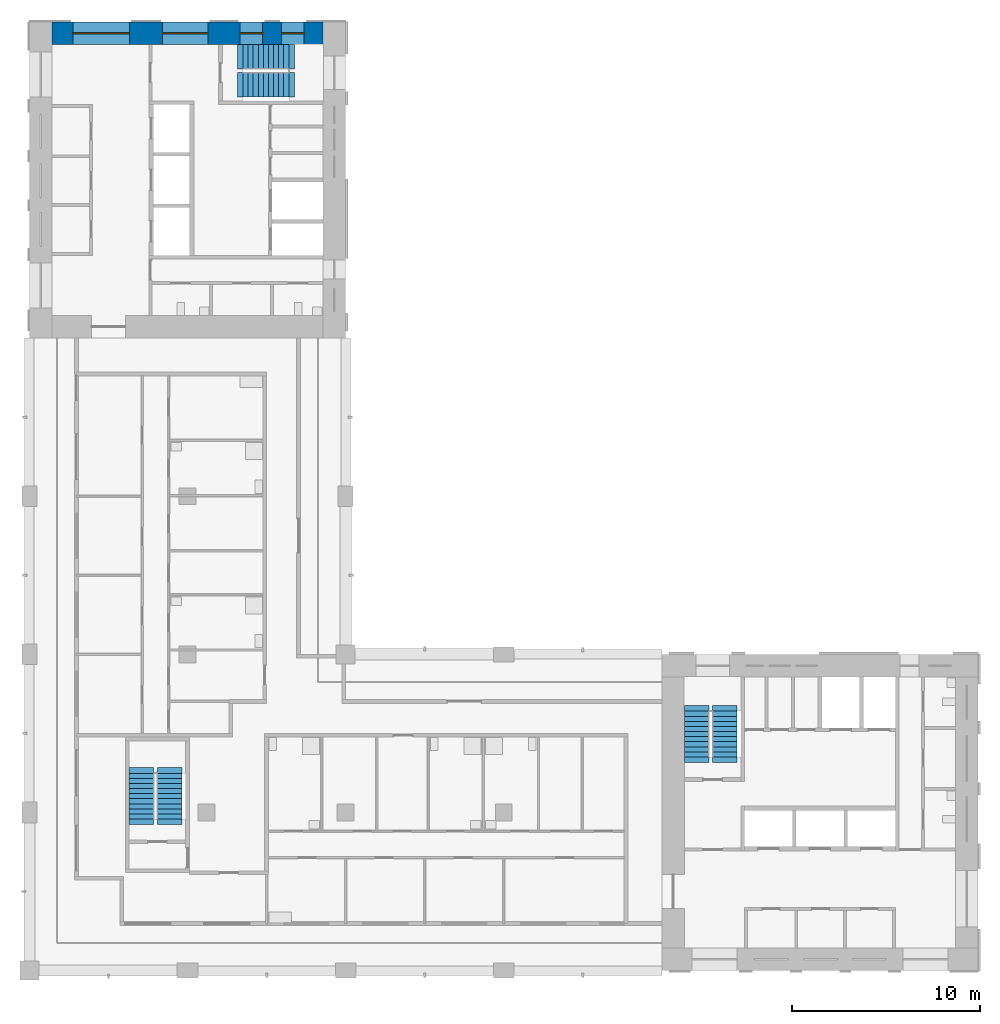
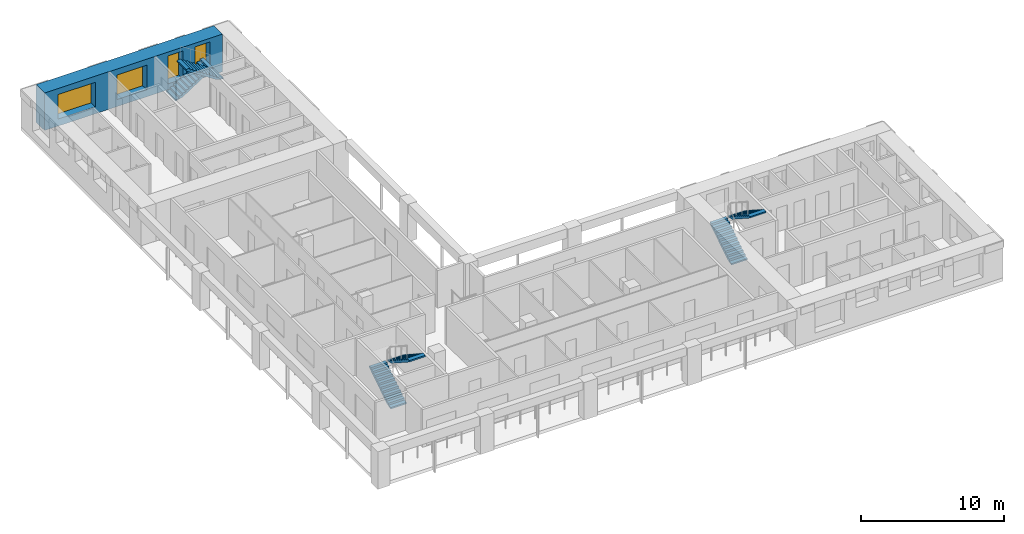
# One storey, part 7 of 10: 6 stair flights, 4 windows, 1 wall, 4 openings, 3 elements without a shape of their own.
"""IFC4 building model written with IfcOpenShell, lengths in metres."""

from ifc_helpers import new_model, si_unit, direction, frame, frame_2d, origin, place, context, subcontext, project, spatial, polyline, rectangle, outline, extrude, material, layer, layer_set, type_object, element, fill, aggregate, save


model = new_model("IFC4")

# Units and contexts
model_context = context("Model", 3, precision=1e-05, world=origin(), true_north=direction((0.0, 1.0)))
body_context = subcontext(model_context, "Body", "Model", "MODEL_VIEW")
ifc_project = project(units=[si_unit("LENGTHUNIT", "METRE"), si_unit("AREAUNIT", "SQUARE_METRE"), si_unit("VOLUMEUNIT", "CUBIC_METRE"), si_unit("PLANEANGLEUNIT", "RADIAN"), si_unit("MASSUNIT", "GRAM", prefix="KILO")], contexts=[model_context])

# Site, building, storey
site_placement = place(None, origin())
site = spatial("IfcSite", under=ifc_project, at=site_placement, CompositionType="ELEMENT")
building_placement = place(site_placement, origin())
building = spatial("IfcBuilding", under=site, at=building_placement, Name="Vermilion Gate Residences", CompositionType="ELEMENT")
storey_placement = place(building_placement, frame((0.0, 0.0, 270.199951171875)))
storey = spatial("IfcBuildingStorey", under=building, at=storey_placement, Name="L71", CompositionType="ELEMENT", Elevation=270.199951171875)

# Wall, openings, windows
ifc_material_1 = material(Name="Concrete C50 red-oxide pigmented", Category="concrete")
ifc_layer = layer(ifc_material_1, 1.199951171875)
ifc_layer_set = layer_set([ifc_layer], Name="RC CORE WALL 1200 C50 RED OXIDE")
wall_type = type_object("IfcWallType", Name="RC CORE WALL 1200 C50 RED OXIDE", PredefinedType="SHEAR", material=ifc_layer_set)
wall_placement = place(storey_placement, frame((9.60009765625, 58.199951171875, 0.0), z_axis=(0.0, 0.0, 1.0), x_axis=(1.0, 0.0, 0.0)))
wall = element("IfcWall", 1, at=wall_placement, inside=storey, type_object=wall_type, Name="Core wall B71-OUT-FR", PredefinedType="SHEAR", context=body_context, shape_type="SweptSolid", body=[
    extrude(rectangle(XDim=14.39990234375, YDim=1.199951171875, at=frame_2d((7.199951171875, 0.0))), origin(), (0.0, 0.0, 1.0), 3.219970703125),
])
opening_1_placement = place(wall_placement, frame((1.10498046875, 0.0, 0.60009765625)))
opening_1 = element("IfcOpeningElement", 2, at=opening_1_placement, cuts=wall, Name="Opening WKB7112", PredefinedType="OPENING", context=body_context, shape_type="SweptSolid", body=[
    extrude(rectangle(XDim=3.0, YDim=2.10009765625, at=frame_2d((1.5, 1.050048828125))), frame((0.0, 0.60986328125, 0.0), z_axis=(0.0, -1.0, 0.0), x_axis=(1.0, 0.0, 0.0)), (0.0, 0.0, 1.0), 1.219970703125),
])
opening_2_placement = place(wall_placement, frame((5.875, 0.0, 0.60009765625)))
opening_2 = element("IfcOpeningElement", 3, at=opening_2_placement, cuts=wall, Name="Opening WKB7113", PredefinedType="OPENING", context=body_context, shape_type="SweptSolid", body=[
    extrude(rectangle(XDim=2.39990234375, YDim=2.10009765625, at=frame_2d((1.199951171875, 1.050048828125))), frame((0.0, 0.60986328125, 0.0), z_axis=(0.0, -1.0, 0.0), x_axis=(1.0, 0.0, 0.0)), (0.0, 0.0, 1.0), 1.219970703125),
])
opening_3_placement = place(wall_placement, frame((9.993408203125, 0.0, 0.5)))
opening_3 = element("IfcOpeningElement", 4, at=opening_3_placement, cuts=wall, Name="Opening WKB7114", PredefinedType="OPENING", context=body_context, shape_type="SweptSolid", body=[
    extrude(rectangle(XDim=1.199951171875, YDim=2.39990234375, at=frame_2d((0.60009765625, 1.199951171875))), frame((0.0, 0.60986328125, 0.0), z_axis=(0.0, -1.0, 0.0), x_axis=(1.0, 0.0, 0.0)), (0.0, 0.0, 1.0), 1.219970703125),
])
opening_4_placement = place(wall_placement, frame((12.19677734375, 0.0, 0.5)))
opening_4 = element("IfcOpeningElement", 5, at=opening_4_placement, cuts=wall, Name="Opening WKB7115", PredefinedType="OPENING", context=body_context, shape_type="SweptSolid", body=[
    extrude(rectangle(XDim=1.199951171875, YDim=2.39990234375, at=frame_2d((0.60009765625, 1.199951171875))), frame((0.0, 0.60986328125, 0.0), z_axis=(0.0, -1.0, 0.0), x_axis=(1.0, 0.0, 0.0)), (0.0, 0.0, 1.0), 1.219970703125),
])
ifc_material_2 = material(Name="Aluminium and clear glass", Category="aluminium")
window_type_1 = type_object("IfcWindowType", Name="CORE LOBBY WINDOW 2400 X 2100", PartitioningType="SINGLE_PANEL", PredefinedType="WINDOW", material=ifc_material_2)
window_1_placement = place(opening_2_placement, origin())
window_1 = element("IfcWindow", 6, at=window_1_placement, inside=storey, type_object=window_type_1, Name="Core lobby window", OverallHeight=2.10009765625, OverallWidth=2.39990234375, PartitioningType="SINGLE_PANEL", PredefinedType="WINDOW", context=body_context, shape_type="SweptSolid", body=[
    extrude(rectangle(XDim=2.39990234375, YDim=2.10009765625, at=frame_2d((1.199951171875, 1.050048828125))), frame((0.0, 0.030029296875, 0.0), z_axis=(0.0, -1.0, 0.0), x_axis=(1.0, 0.0, 0.0)), (0.0, 0.0, 1.0), 0.06005859375),
])
fill(opening_2, window_1)
ifc_material_3 = material(Name="Aluminium and clear glass", Category="aluminium")
window_type_2 = type_object("IfcWindowType", Name="CORE LOBBY WINDOW 3000 X 2100", PartitioningType="SINGLE_PANEL", PredefinedType="WINDOW", material=ifc_material_3)
window_2_placement = place(opening_1_placement, origin())
window_2 = element("IfcWindow", 7, at=window_2_placement, inside=storey, type_object=window_type_2, Name="Core lobby window", OverallHeight=2.10009765625, OverallWidth=3.0, PartitioningType="SINGLE_PANEL", PredefinedType="WINDOW", context=body_context, shape_type="SweptSolid", body=[
    extrude(rectangle(XDim=3.0, YDim=2.10009765625, at=frame_2d((1.5, 1.050048828125))), frame((0.0, 0.030029296875, 0.0), z_axis=(0.0, -1.0, 0.0), x_axis=(1.0, 0.0, 0.0)), (0.0, 0.0, 1.0), 0.06005859375),
])
fill(opening_1, window_2)
ifc_material_4 = material(Name="Aluminium and clear glass", Category="aluminium")
window_type_3 = type_object("IfcWindowType", Name="CORE STAIR WINDOW 1200 X 2400", PartitioningType="SINGLE_PANEL", PredefinedType="WINDOW", material=ifc_material_4)
window_3_placement = place(opening_3_placement, origin())
window_3 = element("IfcWindow", 8, at=window_3_placement, inside=storey, type_object=window_type_3, Name="Core stair window", OverallHeight=2.39990234375, OverallWidth=1.199951171875, PartitioningType="SINGLE_PANEL", PredefinedType="WINDOW", context=body_context, shape_type="SweptSolid", body=[
    extrude(rectangle(XDim=1.199951171875, YDim=2.39990234375, at=frame_2d((0.60009765625, 1.199951171875))), frame((0.0, 0.030029296875, 0.0), z_axis=(0.0, -1.0, 0.0), x_axis=(1.0, 0.0, 0.0)), (0.0, 0.0, 1.0), 0.06005859375),
])
fill(opening_3, window_3)
window_4_placement = place(opening_4_placement, origin())
window_4 = element("IfcWindow", 9, at=window_4_placement, inside=storey, type_object=window_type_3, Name="Core stair window", OverallHeight=2.39990234375, OverallWidth=1.199951171875, PartitioningType="SINGLE_PANEL", PredefinedType="WINDOW", context=body_context, shape_type="SweptSolid", body=[
    extrude(rectangle(XDim=1.199951171875, YDim=2.39990234375, at=frame_2d((0.60009765625, 1.199951171875))), frame((0.0, 0.030029296875, 0.0), z_axis=(0.0, -1.0, 0.0), x_axis=(1.0, 0.0, 0.0)), (0.0, 0.0, 1.0), 0.06005859375),
])
fill(opening_4, window_4)

# Stair, stair flights
ifc_material_5 = material(Name="Concrete C50", Category="concrete")
stair_type = type_object("IfcStairType", Name="SPECIAL ESCAPE STAIR 1300", PredefinedType="HALF_TURN_STAIR", material=ifc_material_5)
stair_1_placement = place(storey_placement, origin())
stair_1 = element("IfcStair", 10, at=stair_1_placement, inside=storey, type_object=stair_type, Name="Special escape stair STA1-71", PredefinedType="HALF_TURN_STAIR")
ifc_material_6 = material(Name="Concrete C50", Category="concrete")
stair_flight_type = type_object("IfcStairFlightType", Name="STAIR FLIGHT 1300 RC C50", PredefinedType="STRAIGHT", material=ifc_material_6)
stair_flight_1_placement = place(storey_placement, frame((43.85009765625, 19.75, 0.0), z_axis=(0.0, 0.0, 1.0), x_axis=(0.0, 1.0, 0.0)))
stair_flight_1 = element("IfcStairFlight", 11, at=stair_flight_1_placement, type_object=stair_flight_type, Name="STA1-71 flight 1", NumberOfRisers=10, NumberOfTreads=9, PredefinedType="STRAIGHT", RiserHeight=0.175, TreadLength=0.27, context=body_context, shape_type="SweptSolid", body=[
    extrude(outline(polyline([(-0.300048828125, -0.14990234375), (-0.300048828125, -0.030029296875), (0.0, 0.0), (0.0, 0.175048828125), (0.27001953125, 0.175048828125), (0.27001953125, 0.35009765625), (0.5400390625, 0.35009765625), (0.5400390625, 0.52490234375), (0.81005859375, 0.52490234375), (0.81005859375, 0.699951171875), (1.080078125, 0.699951171875), (1.080078125, 0.875), (1.35009765625, 0.875), (1.35009765625, 1.050048828125), (1.6201171875, 1.050048828125), (1.6201171875, 1.22509765625), (1.889892578125, 1.22509765625), (1.889892578125, 1.39990234375), (2.159912109375, 1.39990234375), (2.159912109375, 1.574951171875), (2.429931640625, 1.574951171875), (2.429931640625, 1.75), (2.72998046875, 1.719970703125), (2.72998046875, 1.60009765625), (2.429931640625, 1.396484375), (0.275634765625, 0.0), (-0.300048828125, -0.14990234375)])), frame((0.0, 0.64990234375, 0.0), z_axis=(0.0, -1.0, 0.0), x_axis=(1.0, 0.0, 0.0)), (0.0, 0.0, 1.0), 1.300048828125),
])
stair_flight_2_placement = place(storey_placement, frame((45.35009765625, 22.179931640625, 1.75), z_axis=(0.0, 0.0, 1.0), x_axis=(0.0, -1.0, 0.0)))
stair_flight_2 = element("IfcStairFlight", 12, at=stair_flight_2_placement, type_object=stair_flight_type, Name="STA1-71 flight 2", NumberOfRisers=10, NumberOfTreads=9, PredefinedType="STRAIGHT", RiserHeight=0.175, TreadLength=0.27, context=body_context, shape_type="SweptSolid", body=[
    extrude(outline(polyline([(-0.300048828125, -0.14990234375), (-0.300048828125, -0.030029296875), (0.0, 0.0), (0.0, 0.175048828125), (0.27001953125, 0.175048828125), (0.27001953125, 0.35009765625), (0.5400390625, 0.35009765625), (0.5400390625, 0.52490234375), (0.81005859375, 0.52490234375), (0.81005859375, 0.699951171875), (1.080078125, 0.699951171875), (1.080078125, 0.875), (1.35009765625, 0.875), (1.35009765625, 1.050048828125), (1.6201171875, 1.050048828125), (1.6201171875, 1.22509765625), (1.889892578125, 1.22509765625), (1.889892578125, 1.39990234375), (2.159912109375, 1.39990234375), (2.159912109375, 1.574951171875), (2.429931640625, 1.574951171875), (2.429931640625, 1.75), (2.72998046875, 1.719970703125), (2.72998046875, 1.60009765625), (2.429931640625, 1.396484375), (0.275634765625, 0.0), (-0.300048828125, -0.14990234375)])), frame((0.0, 0.64990234375, 0.0), z_axis=(0.0, -1.0, 0.0), x_axis=(1.0, 0.0, 0.0)), (0.0, 0.0, 1.0), 1.300048828125),
])
aggregate(stair_1, [stair_flight_1, stair_flight_2])

stair_2_placement = place(storey_placement, origin())
stair_2 = element("IfcStair", 13, at=stair_2_placement, inside=storey, type_object=stair_type, Name="Special escape stair STB1-71", PredefinedType="HALF_TURN_STAIR")
stair_flight_3_placement = place(storey_placement, frame((19.75, 56.949951171875, 0.0), z_axis=(0.0, 0.0, 1.0), x_axis=(1.0, 0.0, 0.0)))
stair_flight_3 = element("IfcStairFlight", 14, at=stair_flight_3_placement, type_object=stair_flight_type, Name="STB1-71 flight 1", NumberOfRisers=10, NumberOfTreads=9, PredefinedType="STRAIGHT", RiserHeight=0.175, TreadLength=0.27, context=body_context, shape_type="SweptSolid", body=[
    extrude(outline(polyline([(-0.300048828125, -0.14990234375), (-0.300048828125, -0.030029296875), (0.0, 0.0), (0.0, 0.175048828125), (0.27001953125, 0.175048828125), (0.27001953125, 0.35009765625), (0.5400390625, 0.35009765625), (0.5400390625, 0.52490234375), (0.81005859375, 0.52490234375), (0.81005859375, 0.699951171875), (1.080078125, 0.699951171875), (1.080078125, 0.875), (1.35009765625, 0.875), (1.35009765625, 1.050048828125), (1.6201171875, 1.050048828125), (1.6201171875, 1.22509765625), (1.889892578125, 1.22509765625), (1.889892578125, 1.39990234375), (2.159912109375, 1.39990234375), (2.159912109375, 1.574951171875), (2.429931640625, 1.574951171875), (2.429931640625, 1.75), (2.72998046875, 1.719970703125), (2.72998046875, 1.60009765625), (2.429931640625, 1.396484375), (0.275634765625, 0.0), (-0.300048828125, -0.14990234375)])), frame((0.0, 0.64990234375, 0.0), z_axis=(0.0, -1.0, 0.0), x_axis=(1.0, 0.0, 0.0)), (0.0, 0.0, 1.0), 1.300048828125),
])
stair_flight_4_placement = place(storey_placement, frame((22.179931640625, 55.449951171875, 1.75), z_axis=(0.0, 0.0, 1.0), x_axis=(-1.0, 0.0, 0.0)))
stair_flight_4 = element("IfcStairFlight", 15, at=stair_flight_4_placement, type_object=stair_flight_type, Name="STB1-71 flight 2", NumberOfRisers=10, NumberOfTreads=9, PredefinedType="STRAIGHT", RiserHeight=0.175, TreadLength=0.27, context=body_context, shape_type="SweptSolid", body=[
    extrude(outline(polyline([(-0.300048828125, -0.14990234375), (-0.300048828125, -0.030029296875), (0.0, 0.0), (0.0, 0.175048828125), (0.27001953125, 0.175048828125), (0.27001953125, 0.35009765625), (0.5400390625, 0.35009765625), (0.5400390625, 0.52490234375), (0.81005859375, 0.52490234375), (0.81005859375, 0.699951171875), (1.080078125, 0.699951171875), (1.080078125, 0.875), (1.35009765625, 0.875), (1.35009765625, 1.050048828125), (1.6201171875, 1.050048828125), (1.6201171875, 1.22509765625), (1.889892578125, 1.22509765625), (1.889892578125, 1.39990234375), (2.159912109375, 1.39990234375), (2.159912109375, 1.574951171875), (2.429931640625, 1.574951171875), (2.429931640625, 1.75), (2.72998046875, 1.719970703125), (2.72998046875, 1.60009765625), (2.429931640625, 1.396484375), (0.275634765625, 0.0), (-0.300048828125, -0.14990234375)])), frame((0.0, 0.64990234375, 0.0), z_axis=(0.0, -1.0, 0.0), x_axis=(1.0, 0.0, 0.0)), (0.0, 0.0, 1.0), 1.300048828125),
])
aggregate(stair_2, [stair_flight_3, stair_flight_4])

stair_3_placement = place(storey_placement, origin())
stair_3 = element("IfcStair", 16, at=stair_3_placement, inside=storey, type_object=stair_type, Name="Special escape stair STC1-71", PredefinedType="HALF_TURN_STAIR")
stair_flight_5_placement = place(storey_placement, frame((14.35009765625, 16.449951171875, 0.0), z_axis=(0.0, 0.0, 1.0), x_axis=(0.0, 1.0, 0.0)))
stair_flight_5 = element("IfcStairFlight", 17, at=stair_flight_5_placement, type_object=stair_flight_type, Name="STC1-71 flight 1", NumberOfRisers=10, NumberOfTreads=9, PredefinedType="STRAIGHT", RiserHeight=0.175, TreadLength=0.27, context=body_context, shape_type="SweptSolid", body=[
    extrude(outline(polyline([(-0.300048828125, -0.14990234375), (-0.300048828125, -0.030029296875), (0.0, 0.0), (0.0, 0.175048828125), (0.27001953125, 0.175048828125), (0.27001953125, 0.35009765625), (0.5400390625, 0.35009765625), (0.5400390625, 0.52490234375), (0.81005859375, 0.52490234375), (0.81005859375, 0.699951171875), (1.080078125, 0.699951171875), (1.080078125, 0.875), (1.35009765625, 0.875), (1.35009765625, 1.050048828125), (1.6201171875, 1.050048828125), (1.6201171875, 1.22509765625), (1.889892578125, 1.22509765625), (1.889892578125, 1.39990234375), (2.159912109375, 1.39990234375), (2.159912109375, 1.574951171875), (2.429931640625, 1.574951171875), (2.429931640625, 1.75), (2.72998046875, 1.719970703125), (2.72998046875, 1.60009765625), (2.429931640625, 1.396484375), (0.275634765625, 0.0), (-0.300048828125, -0.14990234375)])), frame((0.0, 0.64990234375, 0.0), z_axis=(0.0, -1.0, 0.0), x_axis=(1.0, 0.0, 0.0)), (0.0, 0.0, 1.0), 1.300048828125),
])
stair_flight_6_placement = place(storey_placement, frame((15.85009765625, 18.8798828125, 1.75), z_axis=(0.0, 0.0, 1.0), x_axis=(0.0, -1.0, 0.0)))
stair_flight_6 = element("IfcStairFlight", 18, at=stair_flight_6_placement, type_object=stair_flight_type, Name="STC1-71 flight 2", NumberOfRisers=10, NumberOfTreads=9, PredefinedType="STRAIGHT", RiserHeight=0.175, TreadLength=0.27, context=body_context, shape_type="SweptSolid", body=[
    extrude(outline(polyline([(-0.300048828125, -0.14990234375), (-0.300048828125, -0.030029296875), (0.0, 0.0), (0.0, 0.175048828125), (0.27001953125, 0.175048828125), (0.27001953125, 0.35009765625), (0.5400390625, 0.35009765625), (0.5400390625, 0.52490234375), (0.81005859375, 0.52490234375), (0.81005859375, 0.699951171875), (1.080078125, 0.699951171875), (1.080078125, 0.875), (1.35009765625, 0.875), (1.35009765625, 1.050048828125), (1.6201171875, 1.050048828125), (1.6201171875, 1.22509765625), (1.889892578125, 1.22509765625), (1.889892578125, 1.39990234375), (2.159912109375, 1.39990234375), (2.159912109375, 1.574951171875), (2.429931640625, 1.574951171875), (2.429931640625, 1.75), (2.72998046875, 1.719970703125), (2.72998046875, 1.60009765625), (2.429931640625, 1.396484375), (0.275634765625, 0.0), (-0.300048828125, -0.14990234375)])), frame((0.0, 0.64990234375, 0.0), z_axis=(0.0, -1.0, 0.0), x_axis=(1.0, 0.0, 0.0)), (0.0, 0.0, 1.0), 1.300048828125),
])
aggregate(stair_3, [stair_flight_5, stair_flight_6])

save(model, "model.ifc")
